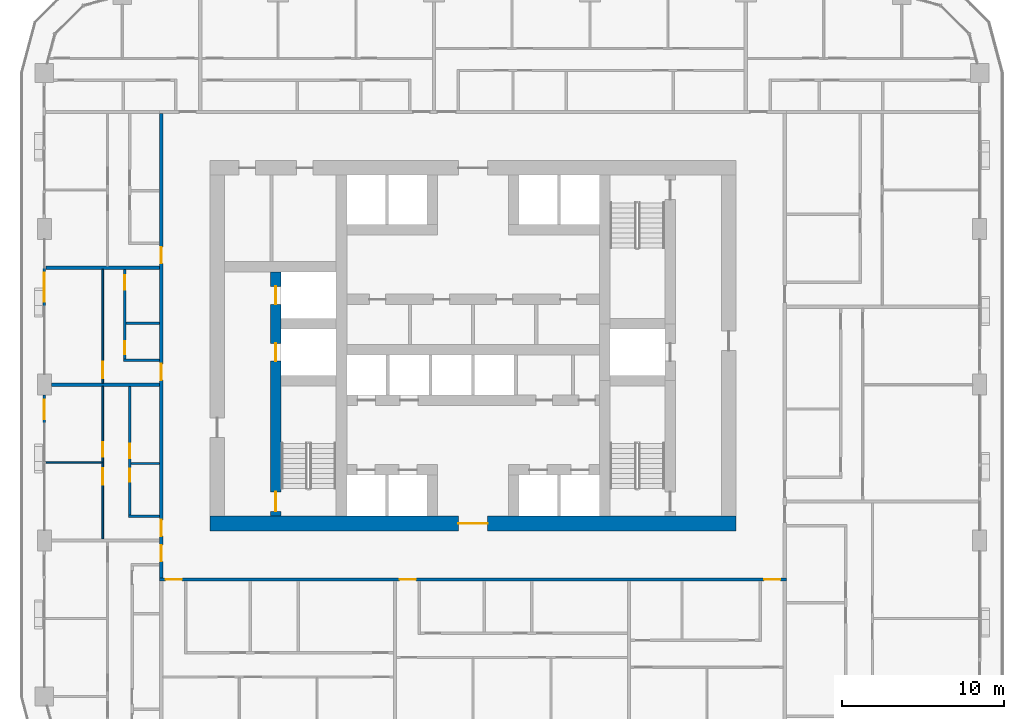
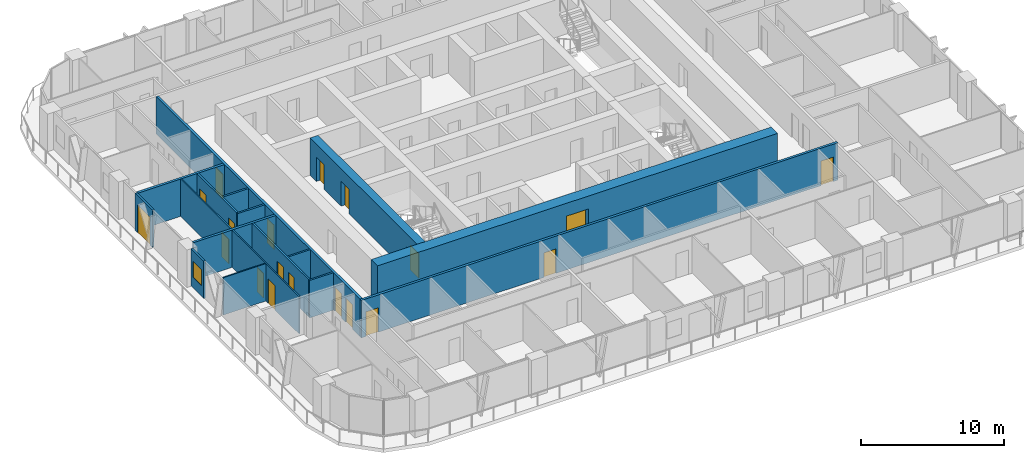
# One storey, part 10 of 22: 19 doors, 17 walls, 1 window, 20 openings.
"""IFC4 building model written with IfcOpenShell, lengths in metres."""

from ifc_helpers import new_model, si_unit, direction, frame, frame_2d, origin, place, context, subcontext, project, spatial, rectangle, extrude, material, layer, layer_set, type_object, element, fill, save


model = new_model("IFC4")

# Units and contexts
model_context = context("Model", 3, precision=1e-05, world=origin(), true_north=direction((0.0, 1.0)))
body_context = subcontext(model_context, "Body", "Model", "MODEL_VIEW")
ifc_project = project(units=[si_unit("LENGTHUNIT", "METRE"), si_unit("AREAUNIT", "SQUARE_METRE"), si_unit("VOLUMEUNIT", "CUBIC_METRE"), si_unit("PLANEANGLEUNIT", "RADIAN"), si_unit("MASSUNIT", "GRAM", prefix="KILO")], contexts=[model_context])

# Site, building, storey
site_placement = place(None, origin())
site = spatial("IfcSite", under=ifc_project, at=site_placement, CompositionType="ELEMENT")
building_placement = place(site_placement, origin())
building = spatial("IfcBuilding", under=site, at=building_placement, Name="Madar Terraces", CompositionType="ELEMENT")
storey_placement = place(building_placement, frame((0.0, 0.0, 59.300048828125)))
storey = spatial("IfcBuildingStorey", under=building, at=storey_placement, Name="L14", CompositionType="ELEMENT", Elevation=59.300048828125)

# Wall, openings, doors
ifc_material_1 = material(Name="Concrete C80/95", Category="concrete")
ifc_layer_1 = layer(ifc_material_1, 0.64990234375)
ifc_layer_set_1 = layer_set([ifc_layer_1], Name="Concrete C80/95 (CIW2 RC wall 650)")
wall_type_1 = type_object("IfcWallType", Name="CIW2 RC wall 650", PredefinedType="SHEAR", material=ifc_layer_set_1)
wall_1_placement = place(storey_placement, frame((19.050048828125, 15.89990234375, 0.0), z_axis=(0.0, 0.0, 1.0), x_axis=(0.0, 1.0, 0.0)))
wall_1 = element("IfcWall", 1, at=wall_1_placement, inside=storey, type_object=wall_type_1, Name="CORE SHAFT WALL", PredefinedType="SHEAR", context=body_context, shape_type="SweptSolid", body=[
    extrude(rectangle(XDim=15.025146484375, YDim=0.64990234375, at=frame_2d((7.5126953125, 0.0))), origin(), (0.0, 0.0, 1.0), 3.199951171875),
])
opening_1_placement = place(wall_1_placement, frame((9.550048828125, 0.0, 0.0)))
opening_1 = element("IfcOpeningElement", 2, at=opening_1_placement, cuts=wall_1, Name="Opening LD", PredefinedType="OPENING", context=body_context, shape_type="SweptSolid", body=[
    extrude(rectangle(XDim=1.10009765625, YDim=2.10009765625, at=frame_2d((0.550048828125, 1.050048828125))), frame((0.0, 0.3349609375, 0.0), z_axis=(0.0, -1.0, 0.0), x_axis=(1.0, 0.0, 0.0)), (0.0, 0.0, 1.0), 0.669921875),
])
opening_2_placement = place(wall_1_placement, frame((13.050048828125, 0.0, 0.0)))
opening_2 = element("IfcOpeningElement", 3, at=opening_2_placement, cuts=wall_1, Name="Opening LD", PredefinedType="OPENING", context=body_context, shape_type="SweptSolid", body=[
    extrude(rectangle(XDim=1.10009765625, YDim=2.10009765625, at=frame_2d((0.550048828125, 1.050048828125))), frame((0.0, 0.3349609375, 0.0), z_axis=(0.0, -1.0, 0.0), x_axis=(1.0, 0.0, 0.0)), (0.0, 0.0, 1.0), 0.669921875),
])
opening_3_placement = place(wall_1_placement, frame((0.300048828125, 0.0, 0.0)))
opening_3 = element("IfcOpeningElement", 4, at=opening_3_placement, cuts=wall_1, Name="Opening SD1", PredefinedType="OPENING", context=body_context, shape_type="SweptSolid", body=[
    extrude(rectangle(XDim=1.199951171875, YDim=2.10009765625, at=frame_2d((0.60009765625, 1.050048828125))), frame((0.0, 0.3349609375, 0.0), z_axis=(0.0, -1.0, 0.0), x_axis=(1.0, 0.0, 0.0)), (0.0, 0.0, 1.0), 0.669921875),
])
ifc_material_2 = material(Name="Stainless steel panel", Category="steel")
door_type_1 = type_object("IfcDoorType", Name="Lift landing door 1100 x 2100", OperationType="DOUBLE_DOOR_SLIDING", PredefinedType="DOOR", material=ifc_material_2)
door_1_placement = place(opening_1_placement, origin())
door_1 = element("IfcDoor", 5, at=door_1_placement, inside=storey, type_object=door_type_1, Name="LIFT LANDING DOOR", OperationType="DOUBLE_DOOR_SLIDING", OverallHeight=2.10009765625, OverallWidth=1.10009765625, PredefinedType="DOOR", context=body_context, shape_type="SweptSolid", body=[
    extrude(rectangle(XDim=1.10009765625, YDim=2.10009765625, at=frame_2d((0.550048828125, 1.050048828125))), frame((0.0, 0.02490234375, 0.0), z_axis=(0.0, -1.0, 0.0), x_axis=(1.0, 0.0, 0.0)), (0.0, 0.0, 1.0), 0.050048828125),
])
fill(opening_1, door_1)
door_2_placement = place(opening_2_placement, origin())
door_2 = element("IfcDoor", 6, at=door_2_placement, inside=storey, type_object=door_type_1, Name="LIFT LANDING DOOR", OperationType="DOUBLE_DOOR_SLIDING", OverallHeight=2.10009765625, OverallWidth=1.10009765625, PredefinedType="DOOR", context=body_context, shape_type="SweptSolid", body=[
    extrude(rectangle(XDim=1.10009765625, YDim=2.10009765625, at=frame_2d((0.550048828125, 1.050048828125))), frame((0.0, 0.02490234375, 0.0), z_axis=(0.0, -1.0, 0.0), x_axis=(1.0, 0.0, 0.0)), (0.0, 0.0, 1.0), 0.050048828125),
])
fill(opening_2, door_2)
ifc_material_3 = material(Name="Steel door leaf", Category="steel")
door_type_2 = type_object("IfcDoorType", Name="Stair door 1200 x 2100", OperationType="NOTDEFINED", PredefinedType="DOOR", material=ifc_material_3)
door_3_placement = place(opening_3_placement, frame((1.199951171875, 0.0, 0.0), z_axis=(0.0, 0.0, 1.0), x_axis=(-1.0, 0.0, 0.0)))
door_3 = element("IfcDoor", 7, at=door_3_placement, inside=storey, type_object=door_type_2, Name="STAIR DOOR", OperationType="SINGLE_SWING_RIGHT", OverallHeight=2.10009765625, OverallWidth=1.199951171875, PredefinedType="DOOR", context=body_context, shape_type="SweptSolid", body=[
    extrude(rectangle(XDim=1.199951171875, YDim=2.10009765625, at=frame_2d((0.60009765625, 1.050048828125))), frame((0.0, 0.02490234375, 0.0), z_axis=(0.0, -1.0, 0.0), x_axis=(1.0, 0.0, 0.0)), (0.0, 0.0, 1.0), 0.050048828125),
])
fill(opening_3, door_3)

# Wall, opening, door
ifc_material_4 = material(Name="Concrete C80/95", Category="concrete")
ifc_layer_2 = layer(ifc_material_4, 0.89990234375)
ifc_layer_set_2 = layer_set([ifc_layer_2], Name="Concrete C80/95 (CRW2 RC wall 900)")
wall_type_2 = type_object("IfcWallType", Name="CRW2 RC wall 900", PredefinedType="SHEAR", material=ifc_layer_set_2)
wall_2_placement = place(storey_placement, frame((15.0, 15.449951171875, 0.0), z_axis=(0.0, 0.0, 1.0), x_axis=(1.0, 0.0, 0.0)))
wall_2 = element("IfcWall", 8, at=wall_2_placement, inside=storey, type_object=wall_type_2, Name="CORE OUTER WALL", PredefinedType="SHEAR", context=body_context, shape_type="SweptSolid", body=[
    extrude(rectangle(XDim=32.39990234375, YDim=0.89990234375, at=frame_2d((16.199951171875, 0.0))), origin(), (0.0, 0.0, 1.0), 3.199951171875),
])
opening_4_placement = place(wall_2_placement, frame((15.300048828125, 0.0, 0.0)))
opening_4 = element("IfcOpeningElement", 9, at=opening_4_placement, cuts=wall_2, Name="Opening KD1", PredefinedType="OPENING", context=body_context, shape_type="SweptSolid", body=[
    extrude(rectangle(XDim=1.800048828125, YDim=2.10009765625, at=frame_2d((0.89990234375, 1.050048828125))), frame((0.0, 0.4599609375, 0.0), z_axis=(0.0, -1.0, 0.0), x_axis=(1.0, 0.0, 0.0)), (0.0, 0.0, 1.0), 0.919921875),
])
ifc_material_5 = material(Name="Steel door leaf", Category="steel")
door_type_3 = type_object("IfcDoorType", Name="Lobby door pair 1800 x 2100", OperationType="DOUBLE_DOOR_SINGLE_SWING", PredefinedType="DOOR", material=ifc_material_5)
door_4_placement = place(opening_4_placement, frame((1.800048828125, 0.0, 0.0), z_axis=(0.0, 0.0, 1.0), x_axis=(-1.0, 0.0, 0.0)))
door_4 = element("IfcDoor", 10, at=door_4_placement, inside=storey, type_object=door_type_3, Name="LIFT LOBBY DOOR", OperationType="DOUBLE_DOOR_SINGLE_SWING", OverallHeight=2.10009765625, OverallWidth=1.800048828125, PredefinedType="DOOR", context=body_context, shape_type="SweptSolid", body=[
    extrude(rectangle(XDim=1.800048828125, YDim=2.10009765625, at=frame_2d((0.89990234375, 1.050048828125))), frame((0.0, 0.02490234375, 0.0), z_axis=(0.0, -1.0, 0.0), x_axis=(1.0, 0.0, 0.0)), (0.0, 0.0, 1.0), 0.050048828125),
])
fill(opening_4, door_4)

ifc_material_6 = material(Name="Aluminium composite panel, black, over insulated backing", Category="aluminium")
ifc_layer_3 = layer(ifc_material_6, 0.14990234375)
ifc_layer_set_3 = layer_set([ifc_layer_3], Name="Facade bay panel 150")
wall_type_3 = type_object("IfcWallType", Name="Facade bay panel 150", PredefinedType="SOLIDWALL", material=ifc_layer_set_3)
wall_3_placement = place(storey_placement, frame((4.800048828125, 31.199951171875, 0.0), z_axis=(0.0, 0.0, 1.0), x_axis=(0.0, -1.0, 0.0)))
wall_3 = element("IfcWall", 11, at=wall_3_placement, inside=storey, type_object=wall_type_3, Name="Facade bay panel", PredefinedType="SOLIDWALL", context=body_context, shape_type="SweptSolid", body=[
    extrude(rectangle(XDim=2.39990234375, YDim=0.14990234375, at=frame_2d((1.199951171875, 0.0))), origin(), (0.0, 0.0, 1.0), 3.199951171875),
])
opening_5_placement = place(wall_3_placement, frame((0.300048828125, 0.0, 0.0)))
opening_5 = element("IfcOpeningElement", 12, at=opening_5_placement, cuts=wall_3, Name="Opening ED1", PredefinedType="OPENING", context=body_context, shape_type="SweptSolid", body=[
    extrude(rectangle(XDim=1.800048828125, YDim=2.39990234375, at=frame_2d((0.89990234375, 1.199951171875))), frame((0.0, 0.0849609375, 0.0), z_axis=(0.0, -1.0, 0.0), x_axis=(1.0, 0.0, 0.0)), (0.0, 0.0, 1.0), 0.169921875),
])
ifc_material_7 = material(Name="Glass, clear, with black aluminium frame", Category="aluminium")
door_type_4 = type_object("IfcDoorType", Name="Balcony and terrace sliding door 1800 x 2400", OperationType="SLIDING_TO_LEFT", PredefinedType="DOOR", material=ifc_material_7)
door_5_placement = place(opening_5_placement, origin())
door_5 = element("IfcDoor", 13, at=door_5_placement, inside=storey, type_object=door_type_4, Name="Balcony door", OperationType="SLIDING_TO_LEFT", OverallHeight=2.39990234375, OverallWidth=1.800048828125, PredefinedType="DOOR", context=body_context, shape_type="SweptSolid", body=[
    extrude(rectangle(XDim=1.800048828125, YDim=2.39990234375, at=frame_2d((0.89990234375, 1.199951171875))), frame((0.0, 0.02490234375, 0.0), z_axis=(0.0, -1.0, 0.0), x_axis=(1.0, 0.0, 0.0)), (0.0, 0.0, 1.0), 0.050048828125),
])
fill(opening_5, door_5)

# Wall, opening, window
wall_4_placement = place(storey_placement, frame((4.800048828125, 23.35009765625, 0.0), z_axis=(0.0, 0.0, 1.0), x_axis=(0.0, -1.0, 0.0)))
wall_4 = element("IfcWall", 14, at=wall_4_placement, inside=storey, type_object=wall_type_3, Name="Facade bay panel", PredefinedType="SOLIDWALL", context=body_context, shape_type="SweptSolid", body=[
    extrude(rectangle(XDim=1.75, YDim=0.14990234375, at=frame_2d((0.875, 0.0))), origin(), (0.0, 0.0, 1.0), 3.199951171875),
])
opening_6_placement = place(wall_4_placement, frame((0.27490234375, 0.0, 0.89990234375)))
opening_6 = element("IfcOpeningElement", 15, at=opening_6_placement, cuts=wall_4, Name="Opening W1", PredefinedType="OPENING", context=body_context, shape_type="SweptSolid", body=[
    extrude(rectangle(XDim=1.199951171875, YDim=1.39990234375, at=frame_2d((0.60009765625, 0.699951171875))), frame((0.0, 0.0849609375, 0.0), z_axis=(0.0, -1.0, 0.0), x_axis=(1.0, 0.0, 0.0)), (0.0, 0.0, 1.0), 0.169921875),
])
ifc_material_8 = material(Name="Glass, clear, with black aluminium frame", Category="aluminium")
window_type = type_object("IfcWindowType", Name="Vent window 1200 x 1400", PartitioningType="SINGLE_PANEL", PredefinedType="WINDOW", material=ifc_material_8)
window_placement = place(opening_6_placement, origin())
window = element("IfcWindow", 16, at=window_placement, inside=storey, type_object=window_type, Name="Operable vent window", OverallHeight=1.39990234375, OverallWidth=1.199951171875, PartitioningType="SINGLE_PANEL", PredefinedType="WINDOW", context=body_context, shape_type="SweptSolid", body=[
    extrude(rectangle(XDim=1.199951171875, YDim=1.39990234375, at=frame_2d((0.60009765625, 0.699951171875))), frame((0.0, 0.030029296875, 0.0), z_axis=(0.0, -1.0, 0.0), x_axis=(1.0, 0.0, 0.0)), (0.0, 0.0, 1.0), 0.06005859375),
])
fill(opening_6, window)

# Wall, opening, door
ifc_material_9 = material(Name="Gypsum board on steel studs", Category="steel")
ifc_layer_4 = layer(ifc_material_9, 0.10009765625)
ifc_layer_set_4 = layer_set([ifc_layer_4], Name="Flat partition 100")
wall_type_4 = type_object("IfcWallType", Name="Flat partition 100", PredefinedType="PARTITIONING", material=ifc_layer_set_4)
wall_5_placement = place(storey_placement, frame((8.39990234375, 24.10009765625, 0.0), z_axis=(0.0, 0.0, 1.0), x_axis=(0.0, 1.0, 0.0)))
wall_5 = element("IfcWall", 17, at=wall_5_placement, inside=storey, type_object=wall_type_4, Name="Flat partition 100", PredefinedType="PARTITIONING", context=body_context, shape_type="SweptSolid", body=[
    extrude(rectangle(XDim=7.0, YDim=0.10009765625, at=frame_2d((3.5, 0.0))), origin(), (0.0, 0.0, 1.0), 3.199951171875),
])
opening_7_placement = place(wall_5_placement, frame((0.300048828125, 0.0, 0.0)))
opening_7 = element("IfcOpeningElement", 18, at=opening_7_placement, cuts=wall_5, Name="Opening D3", PredefinedType="OPENING", context=body_context, shape_type="SweptSolid", body=[
    extrude(rectangle(XDim=1.0, YDim=2.10009765625, at=frame_2d((0.5, 1.050048828125))), frame((0.0, 0.06005859375, 0.0), z_axis=(0.0, -1.0, 0.0), x_axis=(1.0, 0.0, 0.0)), (0.0, 0.0, 1.0), 0.1201171875),
])
ifc_material_10 = material(Name="Timber door leaf", Category="wood")
door_type_5 = type_object("IfcDoorType", Name="Flat living room door 1000", OperationType="NOTDEFINED", PredefinedType="DOOR", material=ifc_material_10)
door_6_placement = place(opening_7_placement, origin())
door_6 = element("IfcDoor", 19, at=door_6_placement, inside=storey, type_object=door_type_5, Name="Flat living room door 1000", OperationType="SINGLE_SWING_LEFT", OverallHeight=2.10009765625, OverallWidth=1.0, PredefinedType="DOOR", context=body_context, shape_type="SweptSolid", body=[
    extrude(rectangle(XDim=1.0, YDim=2.10009765625, at=frame_2d((0.5, 1.050048828125))), frame((0.0, 0.02490234375, 0.0), z_axis=(0.0, -1.0, 0.0), x_axis=(1.0, 0.0, 0.0)), (0.0, 0.0, 1.0), 0.050048828125),
])
fill(opening_7, door_6)

# Wall
wall_6_placement = place(storey_placement, frame((8.35009765625, 19.199951171875, 0.0), z_axis=(0.0, 0.0, 1.0), x_axis=(-1.0, 0.0, 0.0)))
element("IfcWall", 20, at=wall_6_placement, inside=storey, type_object=wall_type_4, Name="Flat partition 100", PredefinedType="PARTITIONING", context=body_context, shape_type="SweptSolid", body=[
    extrude(rectangle(XDim=3.4501953125, YDim=0.10009765625, at=frame_2d((1.72509765625, 0.0))), origin(), (0.0, 0.0, 1.0), 3.199951171875),
])

# Wall, openings, doors
wall_7_placement = place(storey_placement, frame((8.39990234375, 14.5, 0.0), z_axis=(0.0, 0.0, 1.0), x_axis=(0.0, 1.0, 0.0)))
wall_7 = element("IfcWall", 21, at=wall_7_placement, inside=storey, type_object=wall_type_4, Name="Flat partition 100", PredefinedType="PARTITIONING", context=body_context, shape_type="SweptSolid", body=[
    extrude(rectangle(XDim=9.39990234375, YDim=0.10009765625, at=frame_2d((4.699951171875, 0.0))), origin(), (0.0, 0.0, 1.0), 3.199951171875),
])
opening_8_placement = place(wall_7_placement, frame((3.35009765625, 0.0, 0.0)))
opening_8 = element("IfcOpeningElement", 22, at=opening_8_placement, cuts=wall_7, Name="Opening D3", PredefinedType="OPENING", context=body_context, shape_type="SweptSolid", body=[
    extrude(rectangle(XDim=1.0, YDim=2.10009765625, at=frame_2d((0.5, 1.050048828125))), frame((0.0, 0.06005859375, 0.0), z_axis=(0.0, -1.0, 0.0), x_axis=(1.0, 0.0, 0.0)), (0.0, 0.0, 1.0), 0.1201171875),
])
opening_9_placement = place(wall_7_placement, frame((5.050048828125, 0.0, 0.0)))
opening_9 = element("IfcOpeningElement", 23, at=opening_9_placement, cuts=wall_7, Name="Opening D2", PredefinedType="OPENING", context=body_context, shape_type="SweptSolid", body=[
    extrude(rectangle(XDim=0.89990234375, YDim=2.10009765625, at=frame_2d((0.449951171875, 1.050048828125))), frame((0.0, 0.06005859375, 0.0), z_axis=(0.0, -1.0, 0.0), x_axis=(1.0, 0.0, 0.0)), (0.0, 0.0, 1.0), 0.1201171875),
])
door_7_placement = place(opening_8_placement, origin())
door_7 = element("IfcDoor", 24, at=door_7_placement, inside=storey, type_object=door_type_5, Name="Flat living room door 1000", OperationType="SINGLE_SWING_RIGHT", OverallHeight=2.10009765625, OverallWidth=1.0, PredefinedType="DOOR", context=body_context, shape_type="SweptSolid", body=[
    extrude(rectangle(XDim=1.0, YDim=2.10009765625, at=frame_2d((0.5, 1.050048828125))), frame((0.0, 0.02490234375, 0.0), z_axis=(0.0, -1.0, 0.0), x_axis=(1.0, 0.0, 0.0)), (0.0, 0.0, 1.0), 0.050048828125),
])
fill(opening_8, door_7)
ifc_material_11 = material(Name="Timber door leaf", Category="wood")
door_type_6 = type_object("IfcDoorType", Name="Flat room door 900", OperationType="NOTDEFINED", PredefinedType="DOOR", material=ifc_material_11)
door_8_placement = place(opening_9_placement, origin())
door_8 = element("IfcDoor", 25, at=door_8_placement, inside=storey, type_object=door_type_6, Name="Flat room door 900", OperationType="SINGLE_SWING_LEFT", OverallHeight=2.10009765625, OverallWidth=0.89990234375, PredefinedType="DOOR", context=body_context, shape_type="SweptSolid", body=[
    extrude(rectangle(XDim=0.89990234375, YDim=2.10009765625, at=frame_2d((0.449951171875, 1.050048828125))), frame((0.0, 0.02490234375, 0.0), z_axis=(0.0, -1.0, 0.0), x_axis=(1.0, 0.0, 0.0)), (0.0, 0.0, 1.0), 0.050048828125),
])
fill(opening_9, door_8)

ifc_material_12 = material(Name="Lightweight blockwork", Category="masonry")
ifc_layer_5 = layer(ifc_material_12, 0.199951171875)
ifc_layer_set_5 = layer_set([ifc_layer_5], Name="Flat party and entrance wall 200")
wall_type_5 = type_object("IfcWallType", Name="Flat party and entrance wall 200", PredefinedType="PARTITIONING", material=ifc_layer_set_5)
wall_8_placement = place(storey_placement, frame((50.5, 12.0, 0.0), z_axis=(0.0, 0.0, 1.0), x_axis=(-1.0, 0.0, 0.0)))
wall_8 = element("IfcWall", 26, at=wall_8_placement, inside=storey, type_object=wall_type_5, Name="Flat party and entrance wall 200", PredefinedType="PARTITIONING", context=body_context, shape_type="SweptSolid", body=[
    extrude(rectangle(XDim=38.60009765625, YDim=0.199951171875, at=frame_2d((19.300048828125, 0.0))), origin(), (0.0, 0.0, 1.0), 3.199951171875),
])
opening_10_placement = place(wall_8_placement, frame((37.22509765625, 0.0, 0.0)))
opening_10 = element("IfcOpeningElement", 27, at=opening_10_placement, cuts=wall_8, Name="Opening D1", PredefinedType="OPENING", context=body_context, shape_type="SweptSolid", body=[
    extrude(rectangle(XDim=1.0, YDim=2.10009765625, at=frame_2d((0.5, 1.050048828125))), frame((0.0, 0.10986328125, 0.0), z_axis=(0.0, -1.0, 0.0), x_axis=(1.0, 0.0, 0.0)), (0.0, 0.0, 1.0), 0.219970703125),
])
opening_11_placement = place(wall_8_placement, frame((22.824951171875, 0.0, 0.0)))
opening_11 = element("IfcOpeningElement", 28, at=opening_11_placement, cuts=wall_8, Name="Opening D1", PredefinedType="OPENING", context=body_context, shape_type="SweptSolid", body=[
    extrude(rectangle(XDim=1.0, YDim=2.10009765625, at=frame_2d((0.5, 1.050048828125))), frame((0.0, 0.10986328125, 0.0), z_axis=(0.0, -1.0, 0.0), x_axis=(1.0, 0.0, 0.0)), (0.0, 0.0, 1.0), 0.219970703125),
])
opening_12_placement = place(wall_8_placement, frame((0.375, 0.0, 0.0)))
opening_12 = element("IfcOpeningElement", 29, at=opening_12_placement, cuts=wall_8, Name="Opening D1", PredefinedType="OPENING", context=body_context, shape_type="SweptSolid", body=[
    extrude(rectangle(XDim=1.0, YDim=2.10009765625, at=frame_2d((0.5, 1.050048828125))), frame((0.0, 0.10986328125, 0.0), z_axis=(0.0, -1.0, 0.0), x_axis=(1.0, 0.0, 0.0)), (0.0, 0.0, 1.0), 0.219970703125),
])
ifc_material_13 = material(Name="Timber fire door leaf", Category="wood")
door_type_7 = type_object("IfcDoorType", Name="Flat entrance door 1000 FD30S", OperationType="NOTDEFINED", PredefinedType="DOOR", material=ifc_material_13)
door_9_placement = place(opening_10_placement, origin())
door_9 = element("IfcDoor", 30, at=door_9_placement, inside=storey, type_object=door_type_7, Name="Flat entrance door 1000 FD30S", OperationType="SINGLE_SWING_RIGHT", OverallHeight=2.10009765625, OverallWidth=1.0, PredefinedType="DOOR", context=body_context, shape_type="SweptSolid", body=[
    extrude(rectangle(XDim=1.0, YDim=2.10009765625, at=frame_2d((0.5, 1.050048828125))), frame((0.0, 0.02490234375, 0.0), z_axis=(0.0, -1.0, 0.0), x_axis=(1.0, 0.0, 0.0)), (0.0, 0.0, 1.0), 0.050048828125),
])
fill(opening_10, door_9)
door_10_placement = place(opening_11_placement, origin())
door_10 = element("IfcDoor", 31, at=door_10_placement, inside=storey, type_object=door_type_7, Name="Flat entrance door 1000 FD30S", OperationType="SINGLE_SWING_RIGHT", OverallHeight=2.10009765625, OverallWidth=1.0, PredefinedType="DOOR", context=body_context, shape_type="SweptSolid", body=[
    extrude(rectangle(XDim=1.0, YDim=2.10009765625, at=frame_2d((0.5, 1.050048828125))), frame((0.0, 0.02490234375, 0.0), z_axis=(0.0, -1.0, 0.0), x_axis=(1.0, 0.0, 0.0)), (0.0, 0.0, 1.0), 0.050048828125),
])
fill(opening_11, door_10)
door_11_placement = place(opening_12_placement, origin())
door_11 = element("IfcDoor", 32, at=door_11_placement, inside=storey, type_object=door_type_7, Name="Flat entrance door 1000 FD30S", OperationType="SINGLE_SWING_LEFT", OverallHeight=2.10009765625, OverallWidth=1.0, PredefinedType="DOOR", context=body_context, shape_type="SweptSolid", body=[
    extrude(rectangle(XDim=1.0, YDim=2.10009765625, at=frame_2d((0.5, 1.050048828125))), frame((0.0, 0.02490234375, 0.0), z_axis=(0.0, -1.0, 0.0), x_axis=(1.0, 0.0, 0.0)), (0.0, 0.0, 1.0), 0.050048828125),
])
fill(opening_12, door_11)

wall_9_placement = place(storey_placement, frame((12.0, 12.10009765625, 0.0), z_axis=(0.0, 0.0, 1.0), x_axis=(0.0, 1.0, 0.0)))
wall_9 = element("IfcWall", 33, at=wall_9_placement, inside=storey, type_object=wall_type_5, Name="Flat party and entrance wall 200", PredefinedType="PARTITIONING", context=body_context, shape_type="SweptSolid", body=[
    extrude(rectangle(XDim=28.599853515625, YDim=0.199951171875, at=frame_2d((14.2998046875, 0.0))), origin(), (0.0, 0.0, 1.0), 3.199951171875),
])
opening_13_placement = place(wall_9_placement, frame((19.375, 0.0, 0.0)))
opening_13 = element("IfcOpeningElement", 34, at=opening_13_placement, cuts=wall_9, Name="Opening D1", PredefinedType="OPENING", context=body_context, shape_type="SweptSolid", body=[
    extrude(rectangle(XDim=1.0, YDim=2.10009765625, at=frame_2d((0.5, 1.050048828125))), frame((0.0, 0.10986328125, 0.0), z_axis=(0.0, -1.0, 0.0), x_axis=(1.0, 0.0, 0.0)), (0.0, 0.0, 1.0), 0.219970703125),
])
opening_14_placement = place(wall_9_placement, frame((12.175048828125, 0.0, 0.0)))
opening_14 = element("IfcOpeningElement", 35, at=opening_14_placement, cuts=wall_9, Name="Opening D1", PredefinedType="OPENING", context=body_context, shape_type="SweptSolid", body=[
    extrude(rectangle(XDim=1.0, YDim=2.10009765625, at=frame_2d((0.5, 1.050048828125))), frame((0.0, 0.10986328125, 0.0), z_axis=(0.0, -1.0, 0.0), x_axis=(1.0, 0.0, 0.0)), (0.0, 0.0, 1.0), 0.219970703125),
])
opening_15_placement = place(wall_9_placement, frame((2.574951171875, 0.0, 0.0)))
opening_15 = element("IfcOpeningElement", 36, at=opening_15_placement, cuts=wall_9, Name="Opening D1", PredefinedType="OPENING", context=body_context, shape_type="SweptSolid", body=[
    extrude(rectangle(XDim=1.0, YDim=2.10009765625, at=frame_2d((0.5, 1.050048828125))), frame((0.0, 0.10986328125, 0.0), z_axis=(0.0, -1.0, 0.0), x_axis=(1.0, 0.0, 0.0)), (0.0, 0.0, 1.0), 0.219970703125),
])
opening_16_placement = place(wall_9_placement, frame((1.02490234375, 0.0, 0.0)))
opening_16 = element("IfcOpeningElement", 37, at=opening_16_placement, cuts=wall_9, Name="Opening D1", PredefinedType="OPENING", context=body_context, shape_type="SweptSolid", body=[
    extrude(rectangle(XDim=1.0, YDim=2.10009765625, at=frame_2d((0.5, 1.050048828125))), frame((0.0, 0.10986328125, 0.0), z_axis=(0.0, -1.0, 0.0), x_axis=(1.0, 0.0, 0.0)), (0.0, 0.0, 1.0), 0.219970703125),
])
door_12_placement = place(opening_13_placement, origin())
door_12 = element("IfcDoor", 38, at=door_12_placement, inside=storey, type_object=door_type_7, Name="Flat entrance door 1000 FD30S", OperationType="SINGLE_SWING_LEFT", OverallHeight=2.10009765625, OverallWidth=1.0, PredefinedType="DOOR", context=body_context, shape_type="SweptSolid", body=[
    extrude(rectangle(XDim=1.0, YDim=2.10009765625, at=frame_2d((0.5, 1.050048828125))), frame((0.0, 0.02490234375, 0.0), z_axis=(0.0, -1.0, 0.0), x_axis=(1.0, 0.0, 0.0)), (0.0, 0.0, 1.0), 0.050048828125),
])
fill(opening_13, door_12)
door_13_placement = place(opening_14_placement, origin())
door_13 = element("IfcDoor", 39, at=door_13_placement, inside=storey, type_object=door_type_7, Name="Flat entrance door 1000 FD30S", OperationType="SINGLE_SWING_LEFT", OverallHeight=2.10009765625, OverallWidth=1.0, PredefinedType="DOOR", context=body_context, shape_type="SweptSolid", body=[
    extrude(rectangle(XDim=1.0, YDim=2.10009765625, at=frame_2d((0.5, 1.050048828125))), frame((0.0, 0.02490234375, 0.0), z_axis=(0.0, -1.0, 0.0), x_axis=(1.0, 0.0, 0.0)), (0.0, 0.0, 1.0), 0.050048828125),
])
fill(opening_14, door_13)
door_14_placement = place(opening_15_placement, origin())
door_14 = element("IfcDoor", 40, at=door_14_placement, inside=storey, type_object=door_type_7, Name="Flat entrance door 1000 FD30S", OperationType="SINGLE_SWING_LEFT", OverallHeight=2.10009765625, OverallWidth=1.0, PredefinedType="DOOR", context=body_context, shape_type="SweptSolid", body=[
    extrude(rectangle(XDim=1.0, YDim=2.10009765625, at=frame_2d((0.5, 1.050048828125))), frame((0.0, 0.02490234375, 0.0), z_axis=(0.0, -1.0, 0.0), x_axis=(1.0, 0.0, 0.0)), (0.0, 0.0, 1.0), 0.050048828125),
])
fill(opening_15, door_14)
door_15_placement = place(opening_16_placement, origin())
door_15 = element("IfcDoor", 41, at=door_15_placement, inside=storey, type_object=door_type_7, Name="Flat entrance door 1000 FD30S", OperationType="SINGLE_SWING_RIGHT", OverallHeight=2.10009765625, OverallWidth=1.0, PredefinedType="DOOR", context=body_context, shape_type="SweptSolid", body=[
    extrude(rectangle(XDim=1.0, YDim=2.10009765625, at=frame_2d((0.5, 1.050048828125))), frame((0.0, 0.02490234375, 0.0), z_axis=(0.0, -1.0, 0.0), x_axis=(1.0, 0.0, 0.0)), (0.0, 0.0, 1.0), 0.050048828125),
])
fill(opening_16, door_15)

# Walls
wall_10_placement = place(storey_placement, frame((4.89990234375, 31.199951171875, 0.0), z_axis=(0.0, 0.0, 1.0), x_axis=(1.0, 0.0, 0.0)))
element("IfcWall", 42, at=wall_10_placement, inside=storey, type_object=wall_type_5, Name="Flat party and entrance wall 200", PredefinedType="PARTITIONING", context=body_context, shape_type="SweptSolid", body=[
    extrude(rectangle(XDim=7.0, YDim=0.199951171875, at=frame_2d((3.5, 0.0))), origin(), (0.0, 0.0, 1.0), 3.199951171875),
])
wall_11_placement = place(storey_placement, frame((5.22509765625, 24.0, 0.0), z_axis=(0.0, 0.0, 1.0), x_axis=(1.0, 0.0, 0.0)))
element("IfcWall", 43, at=wall_11_placement, inside=storey, type_object=wall_type_5, Name="Flat party and entrance wall 200", PredefinedType="PARTITIONING", context=body_context, shape_type="SweptSolid", body=[
    extrude(rectangle(XDim=6.6748046875, YDim=0.199951171875, at=frame_2d((3.33740234375, 0.0))), origin(), (0.0, 0.0, 1.0), 3.199951171875),
])
ifc_material_14 = material(Name="Lightweight blockwork", Category="masonry")
ifc_layer_6 = layer(ifc_material_14, 0.14990234375)
ifc_layer_set_6 = layer_set([ifc_layer_6], Name="Flat wet-room partition 150")
wall_type_6 = type_object("IfcWallType", Name="Flat wet-room partition 150", PredefinedType="PARTITIONING", material=ifc_layer_set_6)
wall_12_placement = place(storey_placement, frame((11.89990234375, 27.784912109375, 0.0), z_axis=(0.0, 0.0, 1.0), x_axis=(-1.0, 0.0, 0.0)))
element("IfcWall", 44, at=wall_12_placement, inside=storey, type_object=wall_type_6, Name="Flat wet-room partition 150", PredefinedType="PARTITIONING", context=body_context, shape_type="SweptSolid", body=[
    extrude(rectangle(XDim=2.074951171875, YDim=0.14990234375, at=frame_2d((1.03759765625, 0.0))), origin(), (0.0, 0.0, 1.0), 3.199951171875),
])
wall_13_placement = place(storey_placement, frame((11.89990234375, 25.5, 0.0), z_axis=(0.0, 0.0, 1.0), x_axis=(-1.0, 0.0, 0.0)))
element("IfcWall", 45, at=wall_13_placement, inside=storey, type_object=wall_type_6, Name="Flat wet-room partition 150", PredefinedType="PARTITIONING", context=body_context, shape_type="SweptSolid", body=[
    extrude(rectangle(XDim=2.224853515625, YDim=0.14990234375, at=frame_2d((1.1123046875, 0.0))), origin(), (0.0, 0.0, 1.0), 3.199951171875),
])

# Wall, openings, doors
wall_14_placement = place(storey_placement, frame((9.75, 31.10009765625, 0.0), z_axis=(0.0, 0.0, 1.0), x_axis=(0.0, -1.0, 0.0)))
wall_14 = element("IfcWall", 46, at=wall_14_placement, inside=storey, type_object=wall_type_6, Name="Flat wet-room partition 150", PredefinedType="PARTITIONING", context=body_context, shape_type="SweptSolid", body=[
    extrude(rectangle(XDim=5.525146484375, YDim=0.14990234375, at=frame_2d((2.7626953125, 0.0))), origin(), (0.0, 0.0, 1.0), 3.199951171875),
])
opening_17_placement = place(wall_14_placement, frame((4.425048828125, 0.0, 0.0)))
opening_17 = element("IfcOpeningElement", 47, at=opening_17_placement, cuts=wall_14, Name="Opening D4", PredefinedType="OPENING", context=body_context, shape_type="SweptSolid", body=[
    extrude(rectangle(XDim=0.800048828125, YDim=2.10009765625, at=frame_2d((0.39990234375, 1.050048828125))), frame((0.0, 0.0849609375, 0.0), z_axis=(0.0, -1.0, 0.0), x_axis=(1.0, 0.0, 0.0)), (0.0, 0.0, 1.0), 0.169921875),
])
opening_18_placement = place(wall_14_placement, frame((0.35009765625, 0.0, 0.0)))
opening_18 = element("IfcOpeningElement", 48, at=opening_18_placement, cuts=wall_14, Name="Opening D2", PredefinedType="OPENING", context=body_context, shape_type="SweptSolid", body=[
    extrude(rectangle(XDim=0.89990234375, YDim=2.10009765625, at=frame_2d((0.449951171875, 1.050048828125))), frame((0.0, 0.0849609375, 0.0), z_axis=(0.0, -1.0, 0.0), x_axis=(1.0, 0.0, 0.0)), (0.0, 0.0, 1.0), 0.169921875),
])
ifc_material_15 = material(Name="Timber door leaf", Category="wood")
door_type_8 = type_object("IfcDoorType", Name="Flat bathroom door 800", OperationType="NOTDEFINED", PredefinedType="DOOR", material=ifc_material_15)
door_16_placement = place(opening_17_placement, origin())
door_16 = element("IfcDoor", 49, at=door_16_placement, inside=storey, type_object=door_type_8, Name="Flat bathroom door 800", OperationType="SINGLE_SWING_RIGHT", OverallHeight=2.10009765625, OverallWidth=0.800048828125, PredefinedType="DOOR", context=body_context, shape_type="SweptSolid", body=[
    extrude(rectangle(XDim=0.800048828125, YDim=2.10009765625, at=frame_2d((0.39990234375, 1.050048828125))), frame((0.0, 0.02490234375, 0.0), z_axis=(0.0, -1.0, 0.0), x_axis=(1.0, 0.0, 0.0)), (0.0, 0.0, 1.0), 0.050048828125),
])
fill(opening_17, door_16)
door_17_placement = place(opening_18_placement, origin())
door_17 = element("IfcDoor", 50, at=door_17_placement, inside=storey, type_object=door_type_6, Name="Flat room door 900", OperationType="SINGLE_SWING_LEFT", OverallHeight=2.10009765625, OverallWidth=0.89990234375, PredefinedType="DOOR", context=body_context, shape_type="SweptSolid", body=[
    extrude(rectangle(XDim=0.89990234375, YDim=2.10009765625, at=frame_2d((0.449951171875, 1.050048828125))), frame((0.0, 0.02490234375, 0.0), z_axis=(0.0, -1.0, 0.0), x_axis=(1.0, 0.0, 0.0)), (0.0, 0.0, 1.0), 0.050048828125),
])
fill(opening_18, door_17)

# Walls
wall_15_placement = place(storey_placement, frame((11.89990234375, 19.14501953125, 0.0), z_axis=(0.0, 0.0, 1.0), x_axis=(-1.0, 0.0, 0.0)))
element("IfcWall", 51, at=wall_15_placement, inside=storey, type_object=wall_type_6, Name="Flat wet-room partition 150", PredefinedType="PARTITIONING", context=body_context, shape_type="SweptSolid", body=[
    extrude(rectangle(XDim=1.77490234375, YDim=0.14990234375, at=frame_2d((0.887451171875, 0.0))), origin(), (0.0, 0.0, 1.0), 3.199951171875),
])
wall_16_placement = place(storey_placement, frame((11.89990234375, 15.89990234375, 0.0), z_axis=(0.0, 0.0, 1.0), x_axis=(-1.0, 0.0, 0.0)))
element("IfcWall", 52, at=wall_16_placement, inside=storey, type_object=wall_type_6, Name="Flat wet-room partition 150", PredefinedType="PARTITIONING", context=body_context, shape_type="SweptSolid", body=[
    extrude(rectangle(XDim=1.9248046875, YDim=0.14990234375, at=frame_2d((0.96240234375, 0.0))), origin(), (0.0, 0.0, 1.0), 3.199951171875),
])

# Wall, openings, doors
wall_17_placement = place(storey_placement, frame((10.050048828125, 23.89990234375, 0.0), z_axis=(0.0, 0.0, 1.0), x_axis=(0.0, -1.0, 0.0)))
wall_17 = element("IfcWall", 53, at=wall_17_placement, inside=storey, type_object=wall_type_6, Name="Flat wet-room partition 150", PredefinedType="PARTITIONING", context=body_context, shape_type="SweptSolid", body=[
    extrude(rectangle(XDim=7.9248046875, YDim=0.14990234375, at=frame_2d((3.96240234375, 0.0))), origin(), (0.0, 0.0, 1.0), 3.199951171875),
])
opening_19_placement = place(wall_17_placement, frame((5.080078125, 0.0, 0.0)))
opening_19 = element("IfcOpeningElement", 54, at=opening_19_placement, cuts=wall_17, Name="Opening D4", PredefinedType="OPENING", context=body_context, shape_type="SweptSolid", body=[
    extrude(rectangle(XDim=0.800048828125, YDim=2.10009765625, at=frame_2d((0.39990234375, 1.050048828125))), frame((0.0, 0.0849609375, 0.0), z_axis=(0.0, -1.0, 0.0), x_axis=(1.0, 0.0, 0.0)), (0.0, 0.0, 1.0), 0.169921875),
])
opening_20_placement = place(wall_17_placement, frame((3.530029296875, 0.0, 0.0)))
opening_20 = element("IfcOpeningElement", 55, at=opening_20_placement, cuts=wall_17, Name="Opening D2", PredefinedType="OPENING", context=body_context, shape_type="SweptSolid", body=[
    extrude(rectangle(XDim=0.89990234375, YDim=2.10009765625, at=frame_2d((0.449951171875, 1.050048828125))), frame((0.0, 0.0849609375, 0.0), z_axis=(0.0, -1.0, 0.0), x_axis=(1.0, 0.0, 0.0)), (0.0, 0.0, 1.0), 0.169921875),
])
door_18_placement = place(opening_19_placement, origin())
door_18 = element("IfcDoor", 56, at=door_18_placement, inside=storey, type_object=door_type_8, Name="Flat bathroom door 800", OperationType="SINGLE_SWING_LEFT", OverallHeight=2.10009765625, OverallWidth=0.800048828125, PredefinedType="DOOR", context=body_context, shape_type="SweptSolid", body=[
    extrude(rectangle(XDim=0.800048828125, YDim=2.10009765625, at=frame_2d((0.39990234375, 1.050048828125))), frame((0.0, 0.02490234375, 0.0), z_axis=(0.0, -1.0, 0.0), x_axis=(1.0, 0.0, 0.0)), (0.0, 0.0, 1.0), 0.050048828125),
])
fill(opening_19, door_18)
door_19_placement = place(opening_20_placement, origin())
door_19 = element("IfcDoor", 57, at=door_19_placement, inside=storey, type_object=door_type_6, Name="Flat room door 900", OperationType="SINGLE_SWING_RIGHT", OverallHeight=2.10009765625, OverallWidth=0.89990234375, PredefinedType="DOOR", context=body_context, shape_type="SweptSolid", body=[
    extrude(rectangle(XDim=0.89990234375, YDim=2.10009765625, at=frame_2d((0.449951171875, 1.050048828125))), frame((0.0, 0.02490234375, 0.0), z_axis=(0.0, -1.0, 0.0), x_axis=(1.0, 0.0, 0.0)), (0.0, 0.0, 1.0), 0.050048828125),
])
fill(opening_20, door_19)

save(model, "model.ifc")
